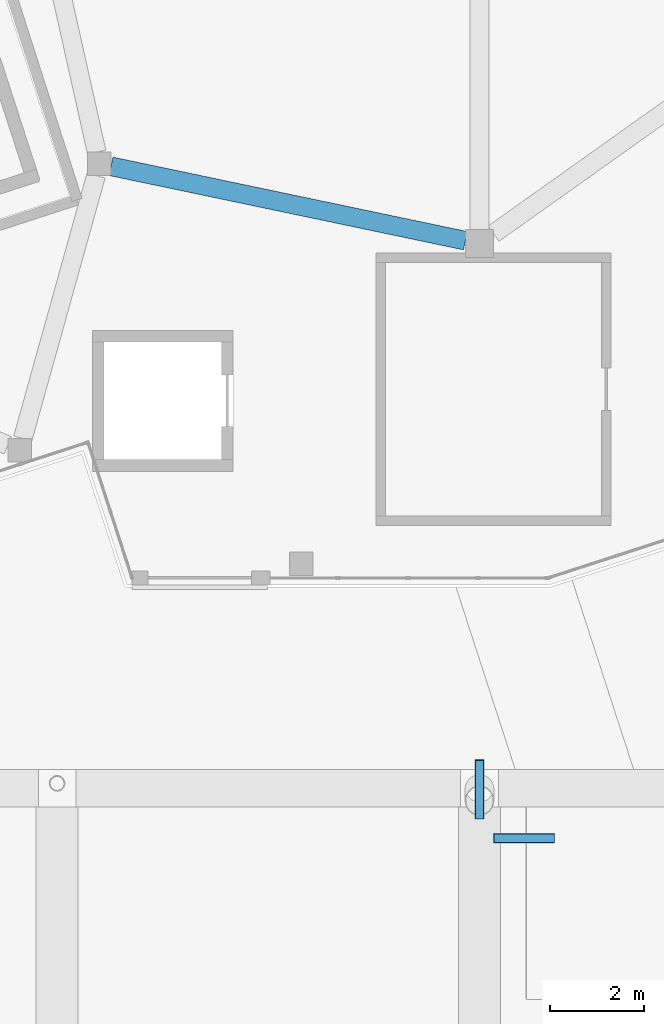
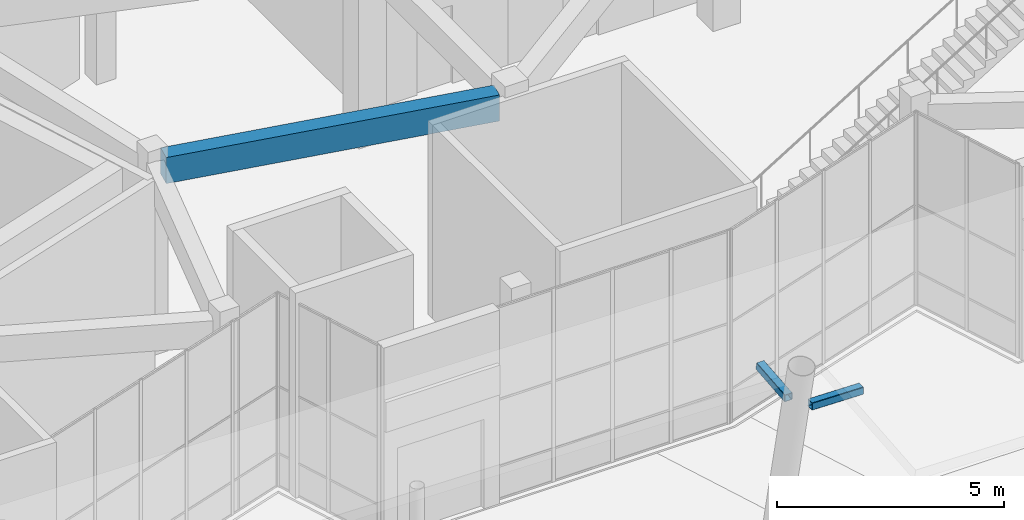
# One storey, part 7 of 72: 2 members, 1 beam.
"""IFC4 building model written with IfcOpenShell, lengths in metres."""

from ifc_helpers import new_model, si_unit, direction, frame, origin, origin_2d, place, context, subcontext, project, spatial, rectangle, hollow_rectangle, extrude, material, material_profile, profile_set, type_object, element, save


model = new_model("IFC4")

# Units and contexts
model_context = context("Model", 3, precision=1e-05, world=origin(), true_north=direction((0.0, 1.0)))
body_context = subcontext(model_context, "Body", "Model", "MODEL_VIEW")
ifc_project = project(units=[si_unit("LENGTHUNIT", "METRE"), si_unit("AREAUNIT", "SQUARE_METRE"), si_unit("VOLUMEUNIT", "CUBIC_METRE"), si_unit("PLANEANGLEUNIT", "RADIAN"), si_unit("MASSUNIT", "GRAM", prefix="KILO")], contexts=[model_context])

# Site, building, storey
site_placement = place(None, origin())
site = spatial("IfcSite", under=ifc_project, at=site_placement, CompositionType="ELEMENT")
building_placement = place(site_placement, origin())
building = spatial("IfcBuilding", under=site, at=building_placement, Name="Tuart Plaza Theatre", CompositionType="ELEMENT")
storey_placement = place(building_placement, origin())
storey = spatial("IfcBuildingStorey", under=building, at=storey_placement, Name="L00", CompositionType="ELEMENT", Elevation=0.0)

# Beam
ifc_material_1 = material(Name="Concrete N40 (40 MPa)", Category="concrete")
ifc_material_profile_1 = material_profile(ifc_material_1, rectangle(XDim=0.39990234375, YDim=0.699951171875, at=origin_2d()), Name="BEAM 400x700 Concrete N40 (40 MPa)")
ifc_profile_set_1 = profile_set([ifc_material_profile_1], Name="Concrete N40 (40 MPa)")
beam_type = type_object("IfcBeamType", Name="BEAM 400x700 Concrete N40 (40 MPa)", PredefinedType="BEAM", material=ifc_profile_set_1)
beam_placement = place(storey_placement, frame((79.14990234375, 51.24755859375, 4.85009765625), z_axis=(0.978674178238, -0.205418725657, 0.0), x_axis=(0.205418725657, 0.978674178238, 0.0)))
element("IfcBeam", 1, at=beam_placement, inside=storey, type_object=beam_type, Name="RB452", PredefinedType="BEAM", context=body_context, shape_type="SweptSolid", body=[
    extrude(rectangle(XDim=0.39990234375, YDim=0.699951171875, at=origin_2d()), origin(), (0.0, 0.0, 1.0), 7.714599609375),
])

# Members
ifc_material_2 = material(Name="Steel Grade C350L0", Category="steel")
ifc_material_profile_2 = material_profile(ifc_material_2, hollow_rectangle(XDim=0.199951171875, YDim=0.199951171875, WallThickness=0.010009765625, InnerFilletRadius=0.010009765625, OuterFilletRadius=0.02001953125, at=origin_2d()), Name="200x200x10 SHS")
ifc_profile_set_2 = profile_set([ifc_material_profile_2], Name="Steel Grade C350L0")
member_type = type_object("IfcMemberType", Name="CANOPY ARM Arm 200x200x10 SHS", PredefinedType="BRACE", material=ifc_profile_set_2)
member_1_placement = place(storey_placement, frame((87.0, 37.355224609375, 4.307373046875), z_axis=(0.0, 0.995972869254, 0.089655137672), x_axis=(-1.0, 0.0, 0.0)))
element("IfcMember", 2, at=member_1_placement, inside=storey, type_object=member_type, Name="BR191", PredefinedType="BRACE", context=body_context, shape_type="SweptSolid", body=[
    extrude(hollow_rectangle(XDim=0.199951171875, YDim=0.199951171875, WallThickness=0.010009765625, InnerFilletRadius=0.010009765625, OuterFilletRadius=0.02001953125, at=origin_2d()), origin(), (0.0, 0.0, 1.0), 1.25),
])
member_2_placement = place(storey_placement, frame((87.304931640625, 36.933349609375, 4.263671875), z_axis=(0.999800436579, 0.0, -0.019977162352), x_axis=(0.0, 1.0, 0.0)))
element("IfcMember", 3, at=member_2_placement, inside=storey, type_object=member_type, Name="BR193", PredefinedType="BRACE", context=body_context, shape_type="SweptSolid", body=[
    extrude(hollow_rectangle(XDim=0.199951171875, YDim=0.199951171875, WallThickness=0.010009765625, InnerFilletRadius=0.010009765625, OuterFilletRadius=0.02001953125, at=origin_2d()), origin(), (0.0, 0.0, 1.0), 1.29541015625),
])

save(model, "model.ifc")
